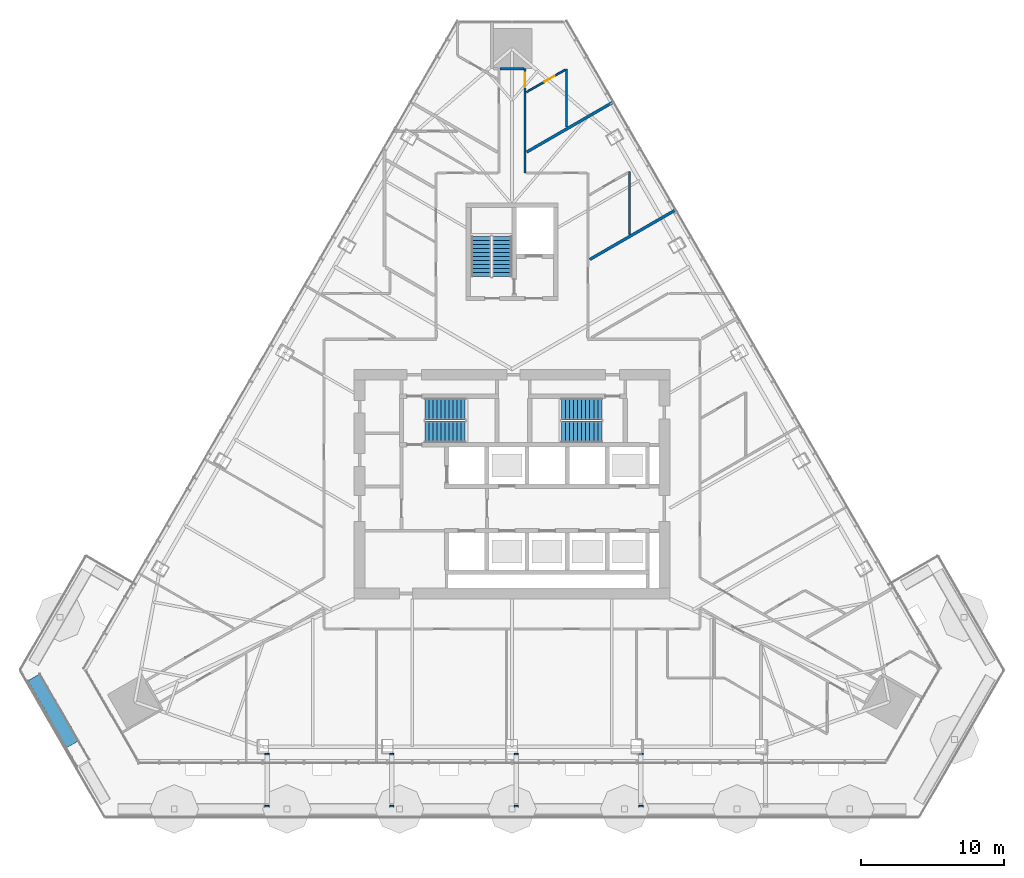
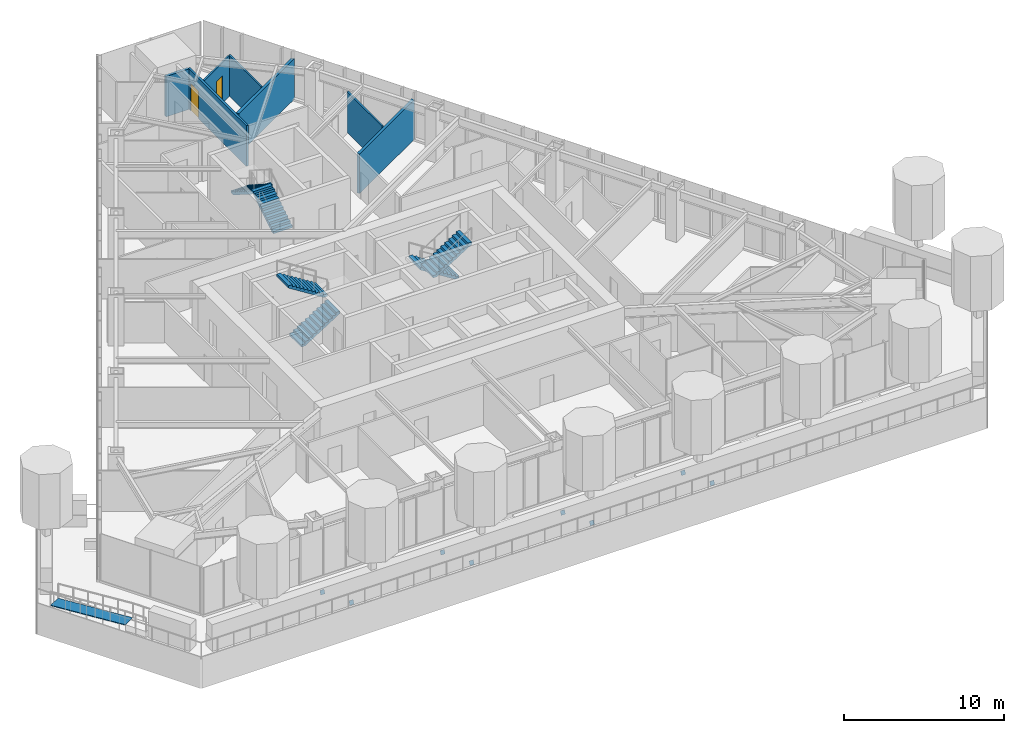
# One storey, part 20 of 24: 8 discrete accessories, 7 walls, 6 stair flights, 2 doors, 1 ramp flight, 2 openings, 4 elements without a shape of their own.
"""IFC4 building model written with IfcOpenShell, lengths in metres."""

import ifcopenshell
import ifcopenshell.guid

model = None  # the IFC model being written
_history = None  # IfcOwnerHistory: only IFC2X3 demands one
_inside = {}  # id of a spatial element -> (the spatial element, [elements in it])
_under = {}  # id of a project, library or spatial element -> (it, [spatial elements below it])
_declared = {}  # id of a project -> (the project, [libraries it declares])
_typed = {}  # id of a type object -> (the type object, [elements of that type])
_made_of = {}  # id of a material, layer set ... -> (it, [elements and type objects made of it])


def new_model(schema):
    """Start an empty IFC model of exactly this schema.

    Asked for "IFC4X3", IfcOpenShell would pick the latest addendum, in which some entities
    have other attributes; the version numbers below select the first issue.
    IFC2X3 requires an IfcOwnerHistory on every rooted entity: one is made here for all.
    """
    global model, _history
    if schema == "IFC4X3":
        model = ifcopenshell.file(schema_version=(4, 3, 0, 0))
    else:
        model = ifcopenshell.file(schema=schema)
    _inside.clear()
    _under.clear()
    _declared.clear()
    _typed.clear()
    _made_of.clear()
    _history = None
    if model.schema == "IFC2X3":
        org = make("IfcOrganization", Name="unknown")
        user = make(
            "IfcPersonAndOrganization",
            ThePerson=make("IfcPerson", FamilyName="unknown"),
            TheOrganization=org,
        )
        app = make(
            "IfcApplication",
            ApplicationDeveloper=org,
            Version="unknown",
            ApplicationFullName="unknown",
            ApplicationIdentifier="unknown",
        )
        _history = make(
            "IfcOwnerHistory",
            OwningUser=user,
            OwningApplication=app,
            ChangeAction="ADDED",
            CreationDate=0,
        )
    return model


def make(cls, **values):
    """One entity of the class cls with the attributes given. An attribute that is None is left unset."""
    return model.create_entity(
        cls, **{name: value for name, value in values.items() if value is not None}
    )


def rooted(cls, **values):
    """An entity with a GlobalId (a new one), such as an element, a storey or a relation."""
    return make(cls, GlobalId=ifcopenshell.guid.new(), OwnerHistory=_history, **values)


def si_unit(unit_type, name, prefix=None):
    """IfcSIUnit, for example si_unit("LENGTHUNIT", "METRE", prefix="MILLI")."""
    return make("IfcSIUnit", UnitType=unit_type, Prefix=prefix, Name=name)


def assignment(units):
    """IfcUnitAssignment: the units of a project."""
    return None if units is None else make("IfcUnitAssignment", Units=units)


def point(xyz):
    """IfcCartesianPoint."""
    return None if xyz is None else make("IfcCartesianPoint", Coordinates=xyz)


def direction(xyz):
    """IfcDirection."""
    return None if xyz is None else make("IfcDirection", DirectionRatios=xyz)


def frame(location, z_axis=None, x_axis=None):
    """IfcAxis2Placement3D, a coordinate frame: its origin and axes. An axis left out is left unset."""
    return make(
        "IfcAxis2Placement3D",
        Location=point(location),
        Axis=direction(z_axis),
        RefDirection=direction(x_axis),
    )


def frame_2d(location, x_axis=None):
    """IfcAxis2Placement2D, a coordinate frame in the plane: its origin and x axis."""
    return make(
        "IfcAxis2Placement2D", Location=point(location), RefDirection=direction(x_axis)
    )


def origin():
    """The frame at (0, 0, 0) with its axes left unset."""
    return frame((0.0, 0.0, 0.0))


def place(relative_to, where):
    """IfcLocalPlacement: puts the frame where relative to a parent placement (None: the world)."""
    return make(
        "IfcLocalPlacement", PlacementRelTo=relative_to, RelativePlacement=where
    )


def context(
    kind, dimensions, precision=None, world=None, true_north=None, identifier=None
):
    """IfcGeometricRepresentationContext, for example the 3D "Model" context."""
    return make(
        "IfcGeometricRepresentationContext",
        ContextIdentifier=identifier,
        ContextType=kind,
        CoordinateSpaceDimension=dimensions,
        Precision=precision,
        WorldCoordinateSystem=world,
        TrueNorth=true_north,
    )


def subcontext(parent, identifier, kind, view, scale=None):
    """IfcGeometricRepresentationSubContext, for example "Body" below "Model"."""
    return make(
        "IfcGeometricRepresentationSubContext",
        ContextIdentifier=identifier,
        ContextType=kind,
        ParentContext=parent,
        TargetScale=scale,
        TargetView=view,
    )


def project(units=None, contexts=None):
    """IfcProject with its units and contexts."""
    return rooted(
        "IfcProject",
        Name="project",
        RepresentationContexts=contexts,
        UnitsInContext=assignment(units),
    )


def spatial(cls, under=None, at=None, **own):
    """A site, building, storey or space (cls), placed at a placement, below another one or the project."""
    s = rooted(cls, ObjectPlacement=at, **own)
    if under is not None:
        _under.setdefault(under.id(), (under, []))[1].append(s)
    return s


def polyline(points):
    """IfcPolyline through the points."""
    return make("IfcPolyline", Points=[point(p) for p in points])


def profile(cls, at=None, kind="AREA", **sizes):
    """A parametric profile (cls). Its sizes go by their IFC names, for example OverallWidth=200.0."""
    return make(cls, ProfileType=kind, Position=at, **sizes)


def rectangle(**sizes):
    """IfcRectangleProfileDef."""
    return profile("IfcRectangleProfileDef", **sizes)


def outline(outer, holes=None, kind="AREA"):
    """IfcArbitraryClosedProfileDef: a profile drawn as a closed curve; with holes, ...WithVoids."""
    if holes is None:
        return make("IfcArbitraryClosedProfileDef", ProfileType=kind, OuterCurve=outer)
    return make(
        "IfcArbitraryProfileDefWithVoids",
        ProfileType=kind,
        OuterCurve=outer,
        InnerCurves=holes,
    )


def extrude(swept, where, along, depth):
    """IfcExtrudedAreaSolid: the profile swept, set in the frame where, extruded along a direction by depth."""
    return make(
        "IfcExtrudedAreaSolid",
        SweptArea=swept,
        Position=where,
        ExtrudedDirection=direction(along),
        Depth=depth,
    )


def shape(context_of_items, identifier, shape_type, items):
    """IfcShapeRepresentation: the items that make up one representation, for example the "Body"."""
    return make(
        "IfcShapeRepresentation",
        ContextOfItems=context_of_items,
        RepresentationIdentifier=identifier,
        RepresentationType=shape_type,
        Items=items,
    )


def material(Name=None, Category=None):
    """IfcMaterial."""
    return make("IfcMaterial", Name=Name, Category=Category)


def layer(
    of_material, thickness, ventilated=None, Name=None, Category=None, Priority=None
):
    """IfcMaterialLayer: one layer of a wall or slab, of a material (None: an air gap)."""
    return make(
        "IfcMaterialLayer",
        Material=of_material,
        LayerThickness=thickness,
        IsVentilated=ventilated,
        Name=Name,
        Category=Category,
        Priority=Priority,
    )


def layer_set(layers, Name=None):
    """IfcMaterialLayerSet."""
    return make("IfcMaterialLayerSet", MaterialLayers=layers, LayerSetName=Name)


def made_of(thing, what):
    """Note that an element or type object is made of a material, layer set ...; save() writes the relation."""
    if what is not None:
        _made_of.setdefault(what.id(), (what, []))[1].append(thing)
    return thing


def type_object(cls, material=None, **own):
    """A type object (cls), such as IfcWallType, which elements share."""
    return made_of(rooted(cls, **own), material)


def element(
    cls,
    number,
    at=None,
    inside=None,
    cuts=None,
    type_object=None,
    material=None,
    context=None,
    identifier="Body",
    shape_type=None,
    held_by="IfcProductDefinitionShape",
    body=None,
    shapes=None,
    **own,
):
    """One element of the class cls, such as IfcWall. Its Tag is "e" and its number.

    at: its placement. inside: the storey or other place that contains it. cuts: it is an
    opening in that element (IfcRelVoidsElement). A single representation is given by context,
    identifier, shape_type and body (its items); several are given by shapes. held_by: the class
    of the entity that holds the representations. save() writes the other relations.
    """
    e = rooted(cls, Tag="e%d" % number, ObjectPlacement=at, **own)
    if body is not None:
        shapes = [shape(context, identifier, shape_type, body)]
    if shapes is not None:
        e.Representation = make(held_by, Representations=shapes)
    if inside is not None:
        _inside.setdefault(inside.id(), (inside, []))[1].append(e)
    if cuts is not None:
        rooted(
            "IfcRelVoidsElement", RelatingBuildingElement=cuts, RelatedOpeningElement=e
        )
    if type_object is not None:
        _typed.setdefault(type_object.id(), (type_object, []))[1].append(e)
    return made_of(e, material)


def fill(opening, filler):
    """IfcRelFillsElement: the door or window that sits in an opening."""
    return rooted(
        "IfcRelFillsElement",
        RelatingOpeningElement=opening,
        RelatedBuildingElement=filler,
    )


def aggregate(whole, parts):
    """IfcRelAggregates: a whole, such as a stair, and the parts it consists of."""
    return rooted("IfcRelAggregates", RelatingObject=whole, RelatedObjects=parts)


def save(model, path):
    """Write the relations noted so far, then the file.

    IfcRelAggregates (storeys below a building ...), IfcRelContainedInSpatialStructure (elements
    in a storey), IfcRelDefinesByType, IfcRelAssociatesMaterial and IfcRelDeclares: one each for
    every whole, place, type object, material and project.
    """
    for whole, parts in _under.values():
        aggregate(whole, parts)
    for where, things in _inside.values():
        rooted(
            "IfcRelContainedInSpatialStructure",
            RelatedElements=things,
            RelatingStructure=where,
        )
    for kind, things in _typed.values():
        rooted("IfcRelDefinesByType", RelatedObjects=things, RelatingType=kind)
    for what, things in _made_of.values():
        rooted("IfcRelAssociatesMaterial", RelatedObjects=things, RelatingMaterial=what)
    for by, libraries in _declared.values():
        rooted("IfcRelDeclares", RelatingContext=by, RelatedDefinitions=libraries)
    model.write(path)


model = new_model("IFC4")

# Units and contexts
model_context = context("Model", 3, precision=1e-05, world=origin(), true_north=direction((0.0, 1.0)))
body_context = subcontext(model_context, "Body", "Model", "MODEL_VIEW")
ifc_project = project(units=[si_unit("LENGTHUNIT", "METRE"), si_unit("AREAUNIT", "SQUARE_METRE"), si_unit("VOLUMEUNIT", "CUBIC_METRE"), si_unit("PLANEANGLEUNIT", "RADIAN"), si_unit("MASSUNIT", "GRAM", prefix="KILO")], contexts=[model_context])

# Site, building, storey
site_placement = place(None, origin())
site = spatial("IfcSite", under=ifc_project, at=site_placement, CompositionType="ELEMENT")
building_placement = place(site_placement, origin())
building = spatial("IfcBuilding", under=site, at=building_placement, Name="Firuza Gate Tower and Library", CompositionType="ELEMENT")
storey_placement = place(building_placement, frame((0.0, 0.0, 194.800048828125)))
storey = spatial("IfcBuildingStorey", under=building, at=storey_placement, Name="L45", CompositionType="ELEMENT", Elevation=194.800048828125)

# Wall, opening, door
ifc_material_1 = material(Name="Gypsum board partition")
ifc_layer_1 = layer(ifc_material_1, 0.14990234375)
ifc_layer_set_1 = layer_set([ifc_layer_1], Name="Corridor wall 150 double board on steel studs")
wall_type_1 = type_object("IfcWallType", Name="Corridor wall 150 double board on steel studs", PredefinedType="PARTITIONING", material=ifc_layer_set_1)
wall_1_placement = place(storey_placement, frame((75.89990234375, 103.96630859375, 0.0), z_axis=(0.0, 0.0, 1.0), x_axis=(0.0, -1.0, 0.0)))
wall_1 = element("IfcWall", 1, at=wall_1_placement, inside=storey, type_object=wall_type_1, Name="f:L45:w045", PredefinedType="PARTITIONING", context=body_context, shape_type="SweptSolid", body=[
    extrude(rectangle(XDim=7.266357421875, YDim=0.14990234375, at=frame_2d((3.63330078125, 0.0))), origin(), (0.0, 0.0, 1.0), 3.099853515625),
])
opening_1_placement = place(wall_1_placement, frame((0.274658203125, 0.0, 0.0)))
opening_1 = element("IfcOpeningElement", 2, at=opening_1_placement, cuts=wall_1, Name="Opening L45-24", PredefinedType="OPENING", context=body_context, shape_type="SweptSolid", body=[
    extrude(rectangle(XDim=1.0, YDim=2.10009765625, at=frame_2d((0.5, 1.050048828125))), frame((0.0, 0.0849609375, 0.0), z_axis=(0.0, -1.0, 0.0), x_axis=(1.0, 0.0, 0.0)), (0.0, 0.0, 1.0), 0.169921875),
])
ifc_material_2 = material(Name="Steel door and timber leaf", Category="steel")
door_type_1 = type_object("IfcDoorType", Name="Fire door 1000 x 2100 steel frame, timber leaf", OperationType="NOTDEFINED", PredefinedType="DOOR", material=ifc_material_2)
door_1_placement = place(opening_1_placement, origin())
door_1 = element("IfcDoor", 3, at=door_1_placement, inside=storey, type_object=door_type_1, Name="f:L45:d024", OperationType="SINGLE_SWING_RIGHT", OverallHeight=2.10009765625, OverallWidth=1.0, PredefinedType="DOOR", context=body_context, shape_type="SweptSolid", body=[
    extrude(rectangle(XDim=1.0, YDim=2.10009765625, at=frame_2d((0.5, 1.050048828125))), frame((0.0, 0.02490234375, 0.0), z_axis=(0.0, -1.0, 0.0), x_axis=(1.0, 0.0, 0.0)), (0.0, 0.0, 1.0), 0.050048828125),
])
fill(opening_1, door_1)

# Walls
ifc_material_3 = material(Name="Gypsum board partition")
ifc_layer_2 = layer(ifc_material_3, 0.199951171875)
ifc_layer_set_2 = layer_set([ifc_layer_2], Name="Demising wall 200 acoustic double stud")
wall_type_2 = type_object("IfcWallType", Name="Demising wall 200 acoustic double stud", PredefinedType="PARTITIONING", material=ifc_layer_set_2)
wall_2_placement = place(storey_placement, frame((80.427001953125, 90.669921875, 0.0), z_axis=(0.0, 0.0, 1.0), x_axis=(0.866024528585, 0.500001515888, 0.0)))
element("IfcWall", 4, at=wall_2_placement, inside=storey, type_object=wall_type_2, Name="f:L45:w024", PredefinedType="PARTITIONING", context=body_context, shape_type="SweptSolid", body=[
    extrude(rectangle(XDim=6.8662109375, YDim=0.199951171875, at=frame_2d((3.43310546875, 0.0))), origin(), (0.0, 0.0, 1.0), 3.02197265625),
])
wall_3_placement = place(storey_placement, frame((76.02685546875, 98.159423828125, 0.0), z_axis=(0.0, 0.0, 1.0), x_axis=(0.866026061359, 0.499998861046, 0.0)))
element("IfcWall", 5, at=wall_3_placement, inside=storey, type_object=wall_type_2, Name="f:L45:w026", PredefinedType="PARTITIONING", context=body_context, shape_type="SweptSolid", body=[
    extrude(rectangle(XDim=6.93212890625, YDim=0.199951171875, at=frame_2d((3.466064453125, 0.0))), origin(), (0.0, 0.0, 1.0), 3.099853515625),
])
wall_4_placement = place(storey_placement, frame((74.175048828125, 103.967041015625, 0.0), z_axis=(0.0, 0.0, 1.0), x_axis=(1.0, 0.0, 0.0)))
element("IfcWall", 6, at=wall_4_placement, inside=storey, type_object=wall_type_2, Name="f:L45:w081", PredefinedType="PARTITIONING", context=body_context, shape_type="SweptSolid", body=[
    extrude(rectangle(XDim=1.6494140625, YDim=0.199951171875, at=frame_2d((0.82470703125, 0.0))), origin(), (0.0, 0.0, 1.0), 3.096923828125),
])

# Wall, opening, door
ifc_material_4 = material(Name="Gypsum board partition")
ifc_layer_3 = layer(ifc_material_4, 0.1201171875)
ifc_layer_set_3 = layer_set([ifc_layer_3], Name="Wet-area partition 120 moisture-resistant board")
wall_type_3 = type_object("IfcWallType", Name="Wet-area partition 120 moisture-resistant board", PredefinedType="PARTITIONING", material=ifc_layer_set_3)
wall_5_placement = place(storey_placement, frame((78.70556640625, 103.890380859375, 0.0), z_axis=(0.0, 0.0, 1.0), x_axis=(-0.866028856698, -0.499994019331, 0.0)))
wall_5 = element("IfcWall", 7, at=wall_5_placement, inside=storey, type_object=wall_type_3, Name="f:L45:w027", PredefinedType="PARTITIONING", context=body_context, shape_type="SweptSolid", body=[
    extrude(rectangle(XDim=3.11279296875, YDim=0.1201171875, at=frame_2d((1.556396484375, 0.0))), origin(), (0.0, 0.0, 1.0), 3.099853515625),
])
opening_2_placement = place(wall_5_placement, frame((0.8564453125, 0.0, 0.0)))
opening_2 = element("IfcOpeningElement", 8, at=opening_2_placement, cuts=wall_5, Name="Opening L45-19", PredefinedType="OPENING", context=body_context, shape_type="SweptSolid", body=[
    extrude(rectangle(XDim=0.800048828125, YDim=2.10009765625, at=frame_2d((0.39990234375, 1.050048828125))), frame((0.0, 0.070068359375, 0.0), z_axis=(0.0, -1.0, 0.0), x_axis=(1.0, 0.0, 0.0)), (0.0, 0.0, 1.0), 0.14013671875),
])
ifc_material_5 = material(Name="Timber door", Category="wood")
door_type_2 = type_object("IfcDoorType", Name="Door 800 x 2100 timber leaf", OperationType="NOTDEFINED", PredefinedType="DOOR", material=ifc_material_5)
door_2_placement = place(opening_2_placement, origin())
door_2 = element("IfcDoor", 9, at=door_2_placement, inside=storey, type_object=door_type_2, Name="f:L45:d019", OperationType="SINGLE_SWING_LEFT", OverallHeight=2.10009765625, OverallWidth=0.800048828125, PredefinedType="DOOR", context=body_context, shape_type="SweptSolid", body=[
    extrude(rectangle(XDim=0.800048828125, YDim=2.10009765625, at=frame_2d((0.39990234375, 1.050048828125))), frame((0.0, 0.02490234375, 0.0), z_axis=(0.0, -1.0, 0.0), x_axis=(1.0, 0.0, 0.0)), (0.0, 0.0, 1.0), 0.050048828125),
])
fill(opening_2, door_2)

# Walls
wall_6_placement = place(storey_placement, frame((83.199951171875, 92.426513671875, 0.0), z_axis=(0.0, 0.0, 1.0), x_axis=(0.0, 1.0, 0.0)))
element("IfcWall", 10, at=wall_6_placement, inside=storey, type_object=wall_type_3, Name="f:L45:w041", PredefinedType="PARTITIONING", context=body_context, shape_type="SweptSolid", body=[
    extrude(rectangle(XDim=4.35791015625, YDim=0.1201171875, at=frame_2d((2.178955078125, 0.0))), origin(), (0.0, 0.0, 1.0), 3.099853515625),
])
wall_7_placement = place(storey_placement, frame((78.800048828125, 99.915771484375, 0.0), z_axis=(0.0, 0.0, 1.0), x_axis=(0.0, 1.0, 0.0)))
element("IfcWall", 11, at=wall_7_placement, inside=storey, type_object=wall_type_3, Name="f:L45:w044", PredefinedType="PARTITIONING", context=body_context, shape_type="SweptSolid", body=[
    extrude(rectangle(XDim=4.02978515625, YDim=0.1201171875, at=frame_2d((2.014892578125, 0.0))), origin(), (0.0, 0.0, 1.0), 3.099853515625),
])

# Stair, stair flights
ifc_material_6 = material(Name="Concrete C35/45", Category="concrete")
stair_type_1 = type_object("IfcStairType", Name="Exit stair ST16", PredefinedType="HALF_TURN_STAIR", material=ifc_material_6)
placement = place(storey_placement, origin())
stair_1 = element("IfcStair", 12, at=placement, inside=storey, type_object=stair_type_1, Name="L45 Stair ST3", PredefinedType="HALF_TURN_STAIR")
ifc_material_7 = material(Name="Concrete C35/45", Category="concrete")
stair_flight_type_1 = type_object("IfcStairFlightType", Name="Stair flight 11 risers 177.3 width 1370", PredefinedType="STRAIGHT", material=ifc_material_7)
stair_flight_1_placement = place(storey_placement, frame((74.31494140625, 89.469970703125, 0.0), z_axis=(0.0, 0.0, 1.0), x_axis=(0.0, 1.0, 0.0)))
stair_flight_1 = element("IfcStairFlight", 13, at=stair_flight_1_placement, type_object=stair_flight_type_1, Name="ST3 flight 1", NumberOfRisers=11, NumberOfTreads=10, PredefinedType="STRAIGHT", RiserHeight=0.177272727, TreadLength=0.28, context=body_context, shape_type="SweptSolid", body=[
    extrude(outline(polyline([(0.0, 0.0), (0.0, 0.17724609375), (0.280029296875, 0.17724609375), (0.280029296875, 0.3544921875), (0.56005859375, 0.3544921875), (0.56005859375, 0.53173828125), (0.840087890625, 0.53173828125), (0.840087890625, 0.708984375), (1.1201171875, 0.708984375), (1.1201171875, 0.886474609375), (1.39990234375, 0.886474609375), (1.39990234375, 1.063720703125), (1.679931640625, 1.063720703125), (1.679931640625, 1.240966796875), (1.9599609375, 1.240966796875), (1.9599609375, 1.418212890625), (2.239990234375, 1.418212890625), (2.239990234375, 1.595458984375), (2.52001953125, 1.595458984375), (2.52001953125, 1.772705078125), (2.800048828125, 1.772705078125), (2.800048828125, 1.949951171875), (2.800048828125, 1.59521484375), (0.2802734375, 0.0), (0.0, 0.0)])), frame((0.0, 0.68505859375, 0.0), z_axis=(0.0, -1.0, 0.0), x_axis=(1.0, 0.0, 0.0)), (0.0, 0.0, 1.0), 1.3701171875),
])
stair_flight_2_placement = place(storey_placement, frame((72.844970703125, 92.27001953125, 1.949951171875), z_axis=(0.0, 0.0, 1.0), x_axis=(0.0, -1.0, 0.0)))
stair_flight_2 = element("IfcStairFlight", 14, at=stair_flight_2_placement, type_object=stair_flight_type_1, Name="ST3 flight 2", NumberOfRisers=11, NumberOfTreads=10, PredefinedType="STRAIGHT", RiserHeight=0.177272727, TreadLength=0.28, context=body_context, shape_type="SweptSolid", body=[
    extrude(outline(polyline([(0.0, 0.0), (0.0, 0.17724609375), (0.280029296875, 0.17724609375), (0.280029296875, 0.3544921875), (0.56005859375, 0.3544921875), (0.56005859375, 0.53173828125), (0.840087890625, 0.53173828125), (0.840087890625, 0.708984375), (1.1201171875, 0.708984375), (1.1201171875, 0.886474609375), (1.39990234375, 0.886474609375), (1.39990234375, 1.063720703125), (1.679931640625, 1.063720703125), (1.679931640625, 1.240966796875), (1.9599609375, 1.240966796875), (1.9599609375, 1.418212890625), (2.239990234375, 1.418212890625), (2.239990234375, 1.595458984375), (2.52001953125, 1.595458984375), (2.52001953125, 1.772705078125), (2.800048828125, 1.772705078125), (2.800048828125, 1.949951171875), (2.800048828125, 1.59521484375), (0.2802734375, 0.0), (0.0, 0.0)])), frame((0.0, 0.68505859375, 0.0), z_axis=(0.0, -1.0, 0.0), x_axis=(1.0, 0.0, 0.0)), (0.0, 0.0, 1.0), 1.3701171875),
])
aggregate(stair_1, [stair_flight_1, stair_flight_2])

ifc_material_8 = material(Name="Concrete C35/45", Category="concrete")
stair_type_2 = type_object("IfcStairType", Name="Exit stair ST7", PredefinedType="HALF_TURN_STAIR", material=ifc_material_8)
stair_2 = element("IfcStair", 15, at=placement, inside=storey, type_object=stair_type_2, Name="L45 Stair ST1", PredefinedType="HALF_TURN_STAIR")
ifc_material_9 = material(Name="Concrete C35/45", Category="concrete")
stair_flight_type_2 = type_object("IfcStairFlightType", Name="Stair flight 11 risers 177.3 width 1490", PredefinedType="STRAIGHT", material=ifc_material_9)
stair_flight_3_placement = place(storey_placement, frame((68.93994140625, 78.64501953125, 0.0), z_axis=(0.0, 0.0, 1.0), x_axis=(1.0, 0.0, 0.0)))
stair_flight_3 = element("IfcStairFlight", 16, at=stair_flight_3_placement, type_object=stair_flight_type_2, Name="ST1 flight 1", NumberOfRisers=11, NumberOfTreads=10, PredefinedType="STRAIGHT", RiserHeight=0.177272727, TreadLength=0.28, context=body_context, shape_type="SweptSolid", body=[
    extrude(outline(polyline([(0.0, 0.0), (0.0, 0.17724609375), (0.280029296875, 0.17724609375), (0.280029296875, 0.3544921875), (0.56005859375, 0.3544921875), (0.56005859375, 0.53173828125), (0.840087890625, 0.53173828125), (0.840087890625, 0.708984375), (1.1201171875, 0.708984375), (1.1201171875, 0.886474609375), (1.39990234375, 0.886474609375), (1.39990234375, 1.063720703125), (1.679931640625, 1.063720703125), (1.679931640625, 1.240966796875), (1.9599609375, 1.240966796875), (1.9599609375, 1.418212890625), (2.239990234375, 1.418212890625), (2.239990234375, 1.595458984375), (2.52001953125, 1.595458984375), (2.52001953125, 1.772705078125), (2.800048828125, 1.772705078125), (2.800048828125, 1.949951171875), (2.800048828125, 1.59521484375), (0.2802734375, 0.0), (0.0, 0.0)])), frame((0.0, 0.7451171875, 0.0), z_axis=(0.0, -1.0, 0.0), x_axis=(1.0, 0.0, 0.0)), (0.0, 0.0, 1.0), 1.489990234375),
])
stair_flight_4_placement = place(storey_placement, frame((71.739990234375, 80.235107421875, 1.949951171875), z_axis=(0.0, 0.0, 1.0), x_axis=(-1.0, 0.0, 0.0)))
stair_flight_4 = element("IfcStairFlight", 17, at=stair_flight_4_placement, type_object=stair_flight_type_2, Name="ST1 flight 2", NumberOfRisers=11, NumberOfTreads=10, PredefinedType="STRAIGHT", RiserHeight=0.177272727, TreadLength=0.28, context=body_context, shape_type="SweptSolid", body=[
    extrude(outline(polyline([(0.0, 0.0), (0.0, 0.17724609375), (0.280029296875, 0.17724609375), (0.280029296875, 0.3544921875), (0.56005859375, 0.3544921875), (0.56005859375, 0.53173828125), (0.840087890625, 0.53173828125), (0.840087890625, 0.708984375), (1.1201171875, 0.708984375), (1.1201171875, 0.886474609375), (1.39990234375, 0.886474609375), (1.39990234375, 1.063720703125), (1.679931640625, 1.063720703125), (1.679931640625, 1.240966796875), (1.9599609375, 1.240966796875), (1.9599609375, 1.418212890625), (2.239990234375, 1.418212890625), (2.239990234375, 1.595458984375), (2.52001953125, 1.595458984375), (2.52001953125, 1.772705078125), (2.800048828125, 1.772705078125), (2.800048828125, 1.949951171875), (2.800048828125, 1.59521484375), (0.2802734375, 0.0), (0.0, 0.0)])), frame((0.0, 0.7451171875, 0.0), z_axis=(0.0, -1.0, 0.0), x_axis=(1.0, 0.0, 0.0)), (0.0, 0.0, 1.0), 1.489990234375),
])
aggregate(stair_2, [stair_flight_3, stair_flight_4])

stair_3 = element("IfcStair", 18, at=placement, inside=storey, type_object=stair_type_2, Name="L45 Stair ST2", PredefinedType="HALF_TURN_STAIR")
stair_flight_5_placement = place(storey_placement, frame((81.260009765625, 80.235107421875, 0.0), z_axis=(0.0, 0.0, 1.0), x_axis=(-1.0, 0.0, 0.0)))
stair_flight_5 = element("IfcStairFlight", 19, at=stair_flight_5_placement, type_object=stair_flight_type_2, Name="ST2 flight 1", NumberOfRisers=11, NumberOfTreads=10, PredefinedType="STRAIGHT", RiserHeight=0.177272727, TreadLength=0.28, context=body_context, shape_type="SweptSolid", body=[
    extrude(outline(polyline([(0.0, 0.0), (0.0, 0.17724609375), (0.280029296875, 0.17724609375), (0.280029296875, 0.3544921875), (0.56005859375, 0.3544921875), (0.56005859375, 0.53173828125), (0.840087890625, 0.53173828125), (0.840087890625, 0.708984375), (1.1201171875, 0.708984375), (1.1201171875, 0.886474609375), (1.39990234375, 0.886474609375), (1.39990234375, 1.063720703125), (1.679931640625, 1.063720703125), (1.679931640625, 1.240966796875), (1.9599609375, 1.240966796875), (1.9599609375, 1.418212890625), (2.239990234375, 1.418212890625), (2.239990234375, 1.595458984375), (2.52001953125, 1.595458984375), (2.52001953125, 1.772705078125), (2.800048828125, 1.772705078125), (2.800048828125, 1.949951171875), (2.800048828125, 1.59521484375), (0.2802734375, 0.0), (0.0, 0.0)])), frame((0.0, 0.7451171875, 0.0), z_axis=(0.0, -1.0, 0.0), x_axis=(1.0, 0.0, 0.0)), (0.0, 0.0, 1.0), 1.489990234375),
])
stair_flight_6_placement = place(storey_placement, frame((78.4599609375, 78.64501953125, 1.949951171875), z_axis=(0.0, 0.0, 1.0), x_axis=(1.0, 0.0, 0.0)))
stair_flight_6 = element("IfcStairFlight", 20, at=stair_flight_6_placement, type_object=stair_flight_type_2, Name="ST2 flight 2", NumberOfRisers=11, NumberOfTreads=10, PredefinedType="STRAIGHT", RiserHeight=0.177272727, TreadLength=0.28, context=body_context, shape_type="SweptSolid", body=[
    extrude(outline(polyline([(0.0, 0.0), (0.0, 0.17724609375), (0.280029296875, 0.17724609375), (0.280029296875, 0.3544921875), (0.56005859375, 0.3544921875), (0.56005859375, 0.53173828125), (0.840087890625, 0.53173828125), (0.840087890625, 0.708984375), (1.1201171875, 0.708984375), (1.1201171875, 0.886474609375), (1.39990234375, 0.886474609375), (1.39990234375, 1.063720703125), (1.679931640625, 1.063720703125), (1.679931640625, 1.240966796875), (1.9599609375, 1.240966796875), (1.9599609375, 1.418212890625), (2.239990234375, 1.418212890625), (2.239990234375, 1.595458984375), (2.52001953125, 1.595458984375), (2.52001953125, 1.772705078125), (2.800048828125, 1.772705078125), (2.800048828125, 1.949951171875), (2.800048828125, 1.59521484375), (0.2802734375, 0.0), (0.0, 0.0)])), frame((0.0, 0.7451171875, 0.0), z_axis=(0.0, -1.0, 0.0), x_axis=(1.0, 0.0, 0.0)), (0.0, 0.0, 1.0), 1.489990234375),
])
aggregate(stair_3, [stair_flight_5, stair_flight_6])

# Ramp, ramp flight
ifc_material_10 = material(Name="Concrete C40/50", Category="concrete")
ifc_layer_4 = layer(ifc_material_10, 0.050048828125)
ifc_layer_set_4 = layer_set([ifc_layer_4], Name="Garden ramp")
ramp_type = type_object("IfcRampType", Name="Garden ramp", PredefinedType="STRAIGHT_RUN_RAMP", material=ifc_layer_set_4)
ramp = element("IfcRamp", 21, at=placement, inside=storey, type_object=ramp_type, Name="Garden ramp 5", PredefinedType="STRAIGHT_RUN_RAMP")
ifc_material_11 = material(Name="Concrete C40/50", Category="concrete")
ifc_layer_5 = layer(ifc_material_11, 0.050048828125)
ifc_layer_set_5 = layer_set([ifc_layer_5], Name="Garden ramp flight")
ramp_flight_type = type_object("IfcRampFlightType", Name="Garden ramp flight", PredefinedType="STRAIGHT", material=ifc_layer_set_5)
ramp_flight_placement = place(storey_placement, frame((41.650146484375, 61.52978515625, 0.0), z_axis=(0.0, 0.0, 1.0), x_axis=(0.49997552693, -0.866039532857, 0.0)))
ramp_flight = element("IfcRampFlight", 22, at=ramp_flight_placement, type_object=ramp_flight_type, Name="Garden ramp 5 flight", PredefinedType="STRAIGHT", context=body_context, shape_type="SweptSolid", body=[
    extrude(outline(polyline([(0.0, 0.050048828125), (5.400146484375, 0.449951171875), (5.400146484375, 0.39990234375), (0.0, 0.0), (0.0, 0.050048828125)])), frame((0.0, 0.449951171875, 0.0), z_axis=(0.0, -1.0, 0.0), x_axis=(1.0, 0.0, 0.0)), (0.0, 0.0, 1.0), 0.89990234375),
])
aggregate(ramp, [ramp_flight])

# Discrete accessories
ifc_material_12 = material(Name="Steel S355", Category="steel")
ifc_layer_6 = layer(ifc_material_12, 0.02001953125)
ifc_layer_set_6 = layer_set([ifc_layer_6], Name="Strut seat plate 304x304x20 Steel S355")
discrete_accessory_type = type_object("IfcDiscreteAccessoryType", Name="Strut seat plate 304x304x20 Steel S355", PredefinedType="BRACKET", material=ifc_layer_set_6)
discrete_accessory_1_placement = place(storey_placement, frame((58.080322265625, 56.237548828125, -1.53564453125), z_axis=(0.0, -0.932034825678, 0.362368712397), x_axis=(-1.0, 0.0, 0.0)))
element("IfcDiscreteAccessory", 23, at=discrete_accessory_1_placement, inside=storey, type_object=discrete_accessory_type, Name="Strut seat plate L45 col:L44:S1", PredefinedType="BRACKET", context=body_context, shape_type="SweptSolid", body=[
    extrude(outline(polyline([(0.0, 0.0), (0.303955078125, 0.0), (0.303955078125, 0.30385465993090327), (0.0, 0.30385465993090327), (0.0, 0.0)])), origin(), (0.0, 0.0, -1.0), 0.02001953125),
])
discrete_accessory_2_placement = place(storey_placement, frame((57.7763671875, 52.600341796875, -0.12109375), z_axis=(0.0, -0.932140212882, 0.36209753317), x_axis=(1.0, 0.0, 0.0)))
element("IfcDiscreteAccessory", 24, at=discrete_accessory_2_placement, inside=storey, type_object=discrete_accessory_type, Name="Strut seat plate L45 col:L44:S1", PredefinedType="BRACKET", context=body_context, shape_type="SweptSolid", body=[
    extrude(outline(polyline([(0.0, 0.0), (0.303955078125, 0.0), (0.303955078125, -0.3040822203652304), (0.0, -0.3040822203652304), (0.0, 0.0)])), origin(), (0.0, 0.0, -1.0), 0.02001953125),
])
discrete_accessory_3_placement = place(storey_placement, frame((66.76611328125, 56.237548828125, -1.53564453125), z_axis=(0.0, -0.932034825678, 0.362368712397), x_axis=(-1.0, 0.0, 0.0)))
element("IfcDiscreteAccessory", 25, at=discrete_accessory_3_placement, inside=storey, type_object=discrete_accessory_type, Name="Strut seat plate L45 col:L44:S2", PredefinedType="BRACKET", context=body_context, shape_type="SweptSolid", body=[
    extrude(outline(polyline([(0.0, 0.0), (0.303955078125, 0.0), (0.303955078125, 0.30385465993090327), (0.0, 0.30385465993090327), (0.0, 0.0)])), origin(), (0.0, 0.0, -1.0), 0.02001953125),
])
discrete_accessory_4_placement = place(storey_placement, frame((66.462158203125, 52.600341796875, -0.12109375), z_axis=(0.0, -0.932140212882, 0.36209753317), x_axis=(1.0, 0.0, 0.0)))
element("IfcDiscreteAccessory", 26, at=discrete_accessory_4_placement, inside=storey, type_object=discrete_accessory_type, Name="Strut seat plate L45 col:L44:S2", PredefinedType="BRACKET", context=body_context, shape_type="SweptSolid", body=[
    extrude(outline(polyline([(0.0, 0.0), (0.303955078125, 0.0), (0.303955078125, -0.3040822203652304), (0.0, -0.3040822203652304), (0.0, 0.0)])), origin(), (0.0, 0.0, -1.0), 0.02001953125),
])
discrete_accessory_5_placement = place(storey_placement, frame((75.451904296875, 56.237548828125, -1.53564453125), z_axis=(0.0, -0.932034825678, 0.362368712397), x_axis=(-1.0, 0.0, 0.0)))
element("IfcDiscreteAccessory", 27, at=discrete_accessory_5_placement, inside=storey, type_object=discrete_accessory_type, Name="Strut seat plate L45 col:L44:S3", PredefinedType="BRACKET", context=body_context, shape_type="SweptSolid", body=[
    extrude(outline(polyline([(0.0, 0.0), (0.303955078125, 0.0), (0.303955078125, 0.30385465993090327), (0.0, 0.30385465993090327), (0.0, 0.0)])), origin(), (0.0, 0.0, -1.0), 0.02001953125),
])
discrete_accessory_6_placement = place(storey_placement, frame((75.14794921875, 52.600341796875, -0.12109375), z_axis=(0.0, -0.932140212882, 0.36209753317), x_axis=(1.0, 0.0, 0.0)))
element("IfcDiscreteAccessory", 28, at=discrete_accessory_6_placement, inside=storey, type_object=discrete_accessory_type, Name="Strut seat plate L45 col:L44:S3", PredefinedType="BRACKET", context=body_context, shape_type="SweptSolid", body=[
    extrude(outline(polyline([(0.0, 0.0), (0.303955078125, 0.0), (0.303955078125, -0.3040822203652304), (0.0, -0.3040822203652304), (0.0, 0.0)])), origin(), (0.0, 0.0, -1.0), 0.02001953125),
])
discrete_accessory_7_placement = place(storey_placement, frame((84.1376953125, 56.237548828125, -1.53564453125), z_axis=(0.0, -0.932034825678, 0.362368712397), x_axis=(-1.0, 0.0, 0.0)))
element("IfcDiscreteAccessory", 29, at=discrete_accessory_7_placement, inside=storey, type_object=discrete_accessory_type, Name="Strut seat plate L45 col:L44:S4", PredefinedType="BRACKET", context=body_context, shape_type="SweptSolid", body=[
    extrude(outline(polyline([(0.0, 0.0), (0.303955078125, 0.0), (0.303955078125, 0.30385465993090327), (0.0, 0.30385465993090327), (0.0, 0.0)])), origin(), (0.0, 0.0, -1.0), 0.02001953125),
])
discrete_accessory_8_placement = place(storey_placement, frame((83.833740234375, 52.600341796875, -0.12109375), z_axis=(0.0, -0.932140212882, 0.36209753317), x_axis=(1.0, 0.0, 0.0)))
element("IfcDiscreteAccessory", 30, at=discrete_accessory_8_placement, inside=storey, type_object=discrete_accessory_type, Name="Strut seat plate L45 col:L44:S4", PredefinedType="BRACKET", context=body_context, shape_type="SweptSolid", body=[
    extrude(outline(polyline([(0.0, 0.0), (0.303955078125, 0.0), (0.303955078125, -0.3040822203652304), (0.0, -0.3040822203652304), (0.0, 0.0)])), origin(), (0.0, 0.0, -1.0), 0.02001953125),
])

save(model, "model.ifc")
